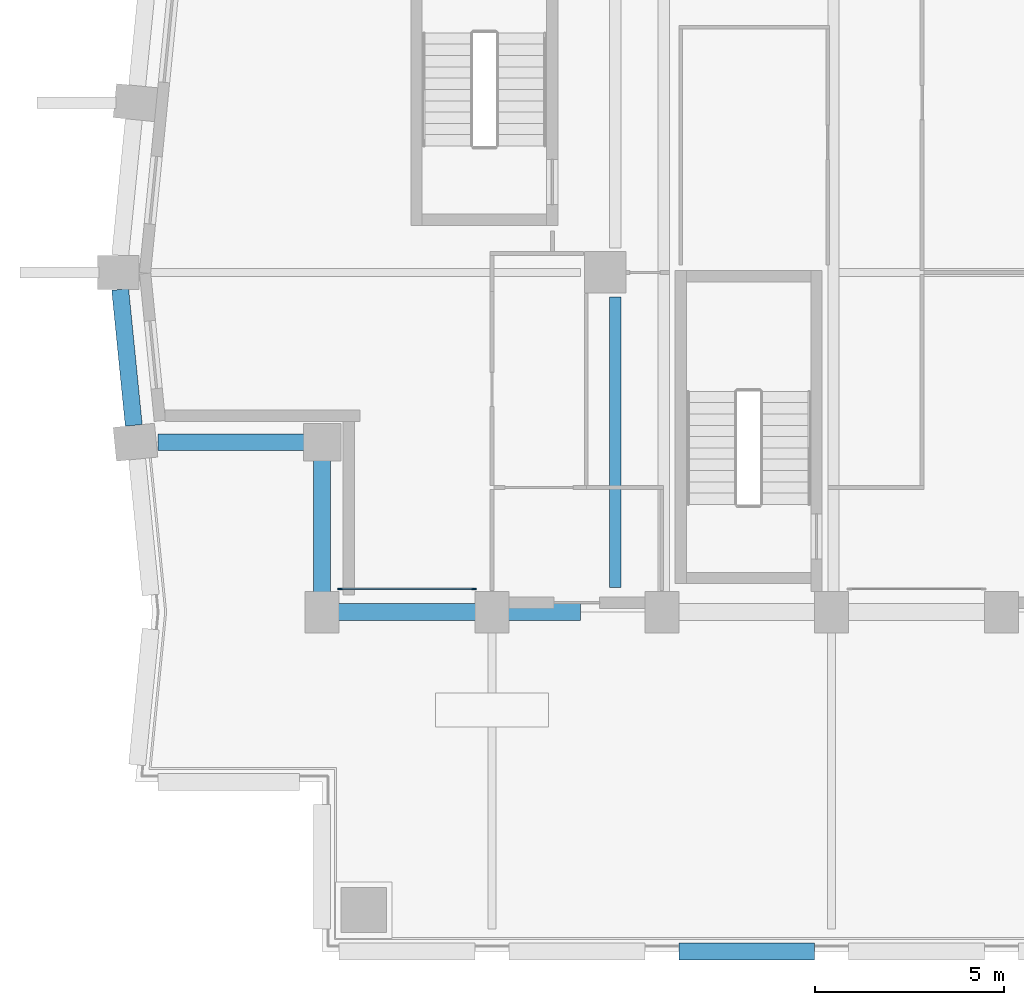
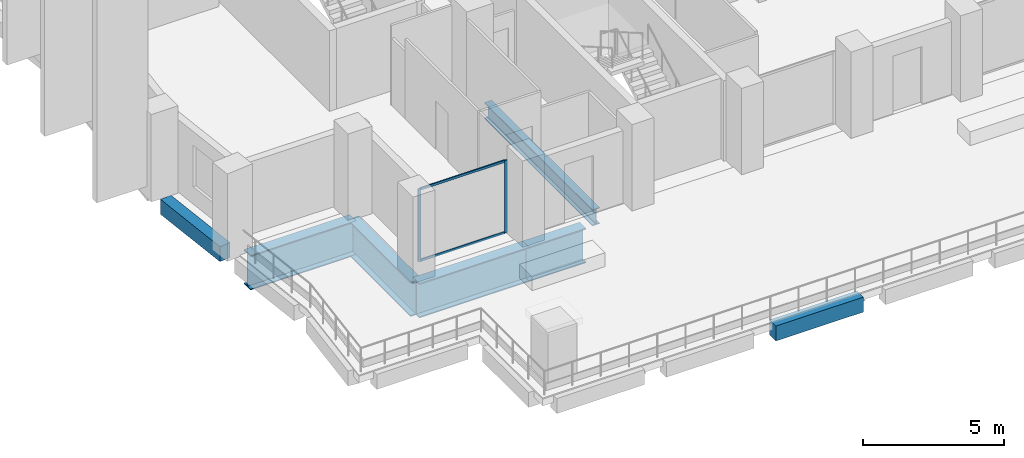
# One storey, part 2 of 18: 7 beams, 4 members, 1 element without a shape of its own.
"""IFC4 building model written with IfcOpenShell, lengths in metres."""

from ifc_helpers import new_model, si_unit, direction, frame, origin, origin_2d, place, context, subcontext, project, spatial, rectangle, i_section, extrude, material, material_profile, profile_set, type_object, element, aggregate, save


model = new_model("IFC4")

# Units and contexts
model_context = context("Model", 3, precision=1e-05, world=origin(), true_north=direction((0.0, 1.0)))
body_context = subcontext(model_context, "Body", "Model", "MODEL_VIEW")
ifc_project = project(units=[si_unit("LENGTHUNIT", "METRE"), si_unit("AREAUNIT", "SQUARE_METRE"), si_unit("VOLUMEUNIT", "CUBIC_METRE"), si_unit("PLANEANGLEUNIT", "RADIAN"), si_unit("MASSUNIT", "GRAM", prefix="KILO")], contexts=[model_context])

# Site, building, storey
site_placement = place(None, origin())
site = spatial("IfcSite", under=ifc_project, at=site_placement, CompositionType="ELEMENT")
building_placement = place(site_placement, origin())
building = spatial("IfcBuilding", under=site, at=building_placement, Name="Brondeck Convention Tower", CompositionType="ELEMENT")
storey_placement = place(building_placement, frame((0.0, 0.0, 143.39990234375)))
storey = spatial("IfcBuildingStorey", under=building, at=storey_placement, Name="L34", CompositionType="ELEMENT", Elevation=143.39990234375)

# Curtain wall, members
ifc_material_1 = material(Name="Aluminium, bronze anodised", Category="aluminium")
curtain_wall_type = type_object("IfcCurtainWallType", Name="Terrace door screen curtain wall", PredefinedType="NOTDEFINED", material=ifc_material_1)
curtain_wall_placement = place(storey_placement, origin())
curtain_wall = element("IfcCurtainWall", 1, at=curtain_wall_placement, inside=storey, type_object=curtain_wall_type, Name="ENV-CW6-L34-B-S9-01", PredefinedType="NOTDEFINED")
ifc_material_profile_1 = material_profile(ifc_material_1, rectangle(XDim=0.050048828125, YDim=0.1201171875, at=origin_2d()), Name="CW6 mullion")
ifc_profile_set_1 = profile_set([ifc_material_profile_1], Name="Aluminium, bronze anodised")
member_type_1 = type_object("IfcMemberType", Name="CW6 mullion", PredefinedType="MULLION", material=ifc_profile_set_1)
member_1_placement = place(storey_placement, frame((8.52490234375, 9.610107421875, 0.0), z_axis=(0.0, 0.0, 1.0), x_axis=(0.0, -1.0, 0.0)))
member_1 = element("IfcMember", 2, at=member_1_placement, type_object=member_type_1, Name="CW6 mullion 1", PredefinedType="MULLION", context=body_context, shape_type="SweptSolid", body=[
    extrude(rectangle(XDim=0.050048828125, YDim=0.1201171875, at=origin_2d()), origin(), (0.0, 0.0, 1.0), 3.150146484375),
])
member_2_placement = place(storey_placement, frame((4.97509765625, 9.610107421875, 0.0), z_axis=(0.0, 0.0, 1.0), x_axis=(0.0, -1.0, 0.0)))
member_2 = element("IfcMember", 3, at=member_2_placement, type_object=member_type_1, Name="CW6 mullion 2", PredefinedType="MULLION", context=body_context, shape_type="SweptSolid", body=[
    extrude(rectangle(XDim=0.050048828125, YDim=0.1201171875, at=origin_2d()), origin(), (0.0, 0.0, 1.0), 3.150146484375),
])
ifc_material_profile_2 = material_profile(ifc_material_1, rectangle(XDim=0.050048828125, YDim=0.10009765625, at=origin_2d()), Name="CW6 transom")
ifc_profile_set_2 = profile_set([ifc_material_profile_2], Name="Aluminium, bronze anodised")
member_type_2 = type_object("IfcMemberType", Name="CW6 transom", PredefinedType="USERDEFINED", material=ifc_profile_set_2)
member_3_placement = place(storey_placement, frame((8.5, 9.610107421875, 0.025146484375), z_axis=(-1.0, 0.0, 0.0), x_axis=(0.0, -1.0, 0.0)))
member_3 = element("IfcMember", 4, at=member_3_placement, type_object=member_type_2, Name="CW6 transom 1.1", ObjectType="TRANSOM", PredefinedType="USERDEFINED", context=body_context, shape_type="SweptSolid", body=[
    extrude(rectangle(XDim=0.050048828125, YDim=0.10009765625, at=origin_2d()), origin(), (0.0, 0.0, 1.0), 3.5),
])
member_4_placement = place(storey_placement, frame((8.5, 9.610107421875, 3.125), z_axis=(-1.0, 0.0, 0.0), x_axis=(0.0, -1.0, 0.0)))
member_4 = element("IfcMember", 5, at=member_4_placement, type_object=member_type_2, Name="CW6 transom 1.2", ObjectType="TRANSOM", PredefinedType="USERDEFINED", context=body_context, shape_type="SweptSolid", body=[
    extrude(rectangle(XDim=0.050048828125, YDim=0.10009765625, at=origin_2d()), origin(), (0.0, 0.0, 1.0), 3.5),
])
aggregate(curtain_wall, [member_1, member_2, member_3, member_4])

# Beams
ifc_material_2 = material(Name="Steel S355", Category="steel")
ifc_material_profile_3 = material_profile(ifc_material_2, i_section(OverallWidth=0.300048828125, OverallDepth=0.699951171875, WebThickness=0.01708984375, FlangeThickness=0.031982421875, FilletRadius=0.027099609375, at=origin_2d()), Name="HEB 700")
ifc_profile_set_3 = profile_set([ifc_material_profile_3], Name="Steel S355")
beam_type_1 = type_object("IfcBeamType", Name="Girder HEB 700", PredefinedType="BEAM", material=ifc_profile_set_3)
beam_1_placement = place(storey_placement, frame((12.27001953125, 17.35009765625, -0.64990234375), z_axis=(0.0, -1.0, 0.0), x_axis=(1.0, 0.0, 0.0)))
element("IfcBeam", 6, at=beam_1_placement, inside=storey, type_object=beam_type_1, Name="STR-GR-L34-013", PredefinedType="BEAM", context=body_context, shape_type="SweptSolid", body=[
    extrude(i_section(OverallWidth=0.300048828125, OverallDepth=0.699951171875, WebThickness=0.01708984375, FlangeThickness=0.031982421875, FilletRadius=0.027099609375, at=origin_2d()), origin(), (0.0, 0.0, 1.0), 7.7001953125),
])
ifc_material_3 = material(Name="Concrete C70/85", Category="concrete")
ifc_material_profile_4 = material_profile(ifc_material_3, rectangle(XDim=0.449951171875, YDim=0.64990234375, at=origin_2d()), Name="Precast spandrel 450x650 Concrete C70/85")
ifc_profile_set_4 = profile_set([ifc_material_profile_4], Name="Concrete C70/85")
beam_type_2 = type_object("IfcBeamType", Name="Precast spandrel 450x650 Concrete C70/85", PredefinedType="SPANDREL", material=ifc_profile_set_4)
beam_2_placement = place(storey_placement, frame((-0.85498046875, 17.550048828125, -0.324951171875), z_axis=(0.099470334057, -0.995040528141, 0.0), x_axis=(0.995040528141, 0.099470334057, 0.0)))
element("IfcBeam", 7, at=beam_2_placement, inside=storey, type_object=beam_type_2, Name="STR-SP-L34-032", PredefinedType="SPANDREL", context=body_context, shape_type="SweptSolid", body=[
    extrude(rectangle(XDim=0.449951171875, YDim=0.64990234375, at=origin_2d()), origin(), (0.0, 0.0, 1.0), 3.620361328125),
])
beam_3_placement = place(storey_placement, frame((17.550048828125, 0.0, -0.324951171875), z_axis=(-1.0, 0.0, 0.0), x_axis=(0.0, -1.0, 0.0)))
element("IfcBeam", 8, at=beam_3_placement, inside=storey, type_object=beam_type_2, Name="STR-SP-L34T1-007", PredefinedType="SPANDREL", context=body_context, shape_type="SweptSolid", body=[
    extrude(rectangle(XDim=0.449951171875, YDim=0.64990234375, at=origin_2d()), origin(), (0.0, 0.0, 1.0), 3.60009765625),
])
ifc_material_4 = material(Name="Steel S460", Category="steel")
ifc_material_profile_5 = material_profile(ifc_material_4, i_section(OverallWidth=0.449951171875, OverallDepth=1.5, WebThickness=0.02490234375, FlangeThickness=0.044921875, at=origin_2d()), Name="PG 1500x450")
ifc_profile_set_5 = profile_set([ifc_material_profile_5], Name="Steel S460")
beam_type_3 = type_object("IfcBeamType", Name="Transfer girder PG 1500x450", PredefinedType="BEAM", material=ifc_profile_set_5)
beam_4_placement = place(storey_placement, frame((0.153076171875, 13.5, -1.0498046875), z_axis=(1.0, 0.0, 0.0), x_axis=(0.0, 1.0, 0.0)))
element("IfcBeam", 9, at=beam_4_placement, inside=storey, type_object=beam_type_3, Name="Setback transfer girder PG-L34-1", PredefinedType="BEAM", context=body_context, shape_type="SweptSolid", body=[
    extrude(i_section(OverallWidth=0.449951171875, OverallDepth=1.5, WebThickness=0.02490234375, FlangeThickness=0.044921875, at=origin_2d()), origin(), (0.0, 0.0, 1.0), 4.346923828125),
])
for number, where, z_axis, x_axis, name in (
    (10, (4.5, 13.5, -1.0498046875), (0.0, -1.0, 0.0), (1.0, 0.0, 0.0), "Setback transfer girder PG-L34-2"),
    (11, (4.5, 9.0, -1.0498046875), (1.0, 0.0, 0.0), (0.0, 1.0, 0.0), "Setback transfer girder PG-L34-3"),
):
    element("IfcBeam", number, at=place(storey_placement, frame(where, z_axis=z_axis, x_axis=x_axis)), inside=storey, type_object=beam_type_3, Name=name, PredefinedType="BEAM", context=body_context, shape_type="SweptSolid", body=[
        extrude(i_section(OverallWidth=0.449951171875, OverallDepth=1.5, WebThickness=0.02490234375, FlangeThickness=0.044921875, at=origin_2d()), origin(), (0.0, 0.0, 1.0), 4.5),
    ])
beam_5_placement = place(storey_placement, frame((9.0, 9.0, -1.0498046875), z_axis=(1.0, 0.0, 0.0), x_axis=(0.0, 1.0, 0.0)))
element("IfcBeam", 12, at=beam_5_placement, inside=storey, type_object=beam_type_3, Name="Setback transfer girder PG-L34-4", PredefinedType="BEAM", context=body_context, shape_type="SweptSolid", body=[
    extrude(i_section(OverallWidth=0.449951171875, OverallDepth=1.5, WebThickness=0.02490234375, FlangeThickness=0.044921875, at=origin_2d()), origin(), (0.0, 0.0, 1.0), 2.35009765625),
])

save(model, "model.ifc")
